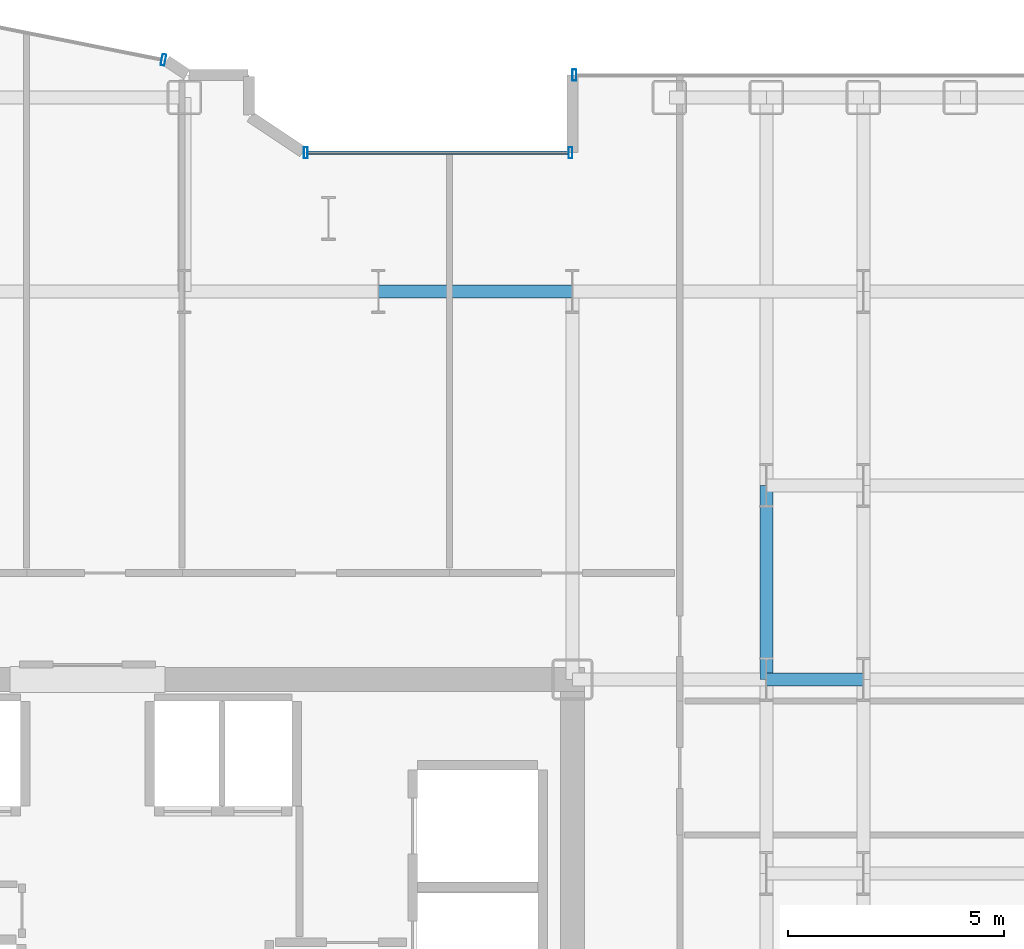
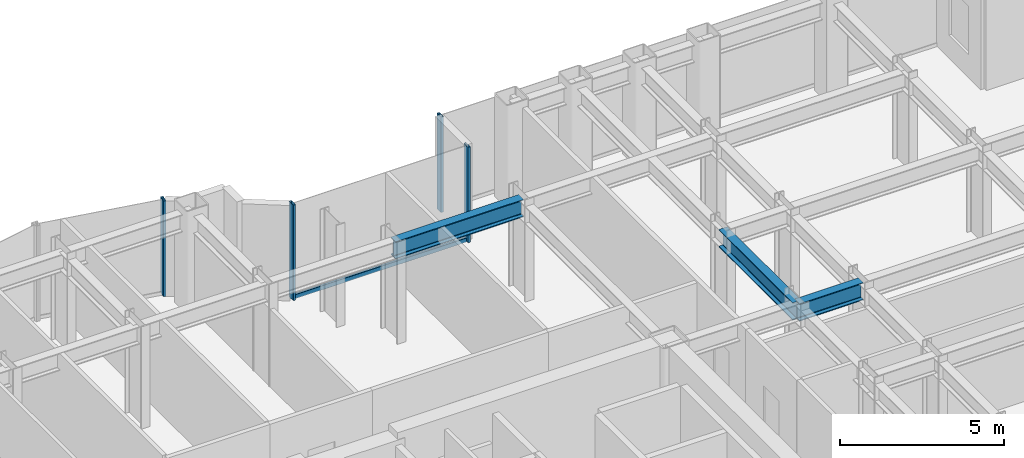
# One storey, part 12 of 26: 5 members, 3 beams, 3 elements without a shape of their own.
"""IFC4 building model written with IfcOpenShell, lengths in metres."""

import ifcopenshell
import ifcopenshell.guid

model = None  # the IFC model being written
_history = None  # IfcOwnerHistory: only IFC2X3 demands one
_inside = {}  # id of a spatial element -> (the spatial element, [elements in it])
_under = {}  # id of a project, library or spatial element -> (it, [spatial elements below it])
_declared = {}  # id of a project -> (the project, [libraries it declares])
_typed = {}  # id of a type object -> (the type object, [elements of that type])
_made_of = {}  # id of a material, layer set ... -> (it, [elements and type objects made of it])


def new_model(schema):
    """Start an empty IFC model of exactly this schema.

    Asked for "IFC4X3", IfcOpenShell would pick the latest addendum, in which some entities
    have other attributes; the version numbers below select the first issue.
    IFC2X3 requires an IfcOwnerHistory on every rooted entity: one is made here for all.
    """
    global model, _history
    if schema == "IFC4X3":
        model = ifcopenshell.file(schema_version=(4, 3, 0, 0))
    else:
        model = ifcopenshell.file(schema=schema)
    _inside.clear()
    _under.clear()
    _declared.clear()
    _typed.clear()
    _made_of.clear()
    _history = None
    if model.schema == "IFC2X3":
        org = make("IfcOrganization", Name="unknown")
        user = make(
            "IfcPersonAndOrganization",
            ThePerson=make("IfcPerson", FamilyName="unknown"),
            TheOrganization=org,
        )
        app = make(
            "IfcApplication",
            ApplicationDeveloper=org,
            Version="unknown",
            ApplicationFullName="unknown",
            ApplicationIdentifier="unknown",
        )
        _history = make(
            "IfcOwnerHistory",
            OwningUser=user,
            OwningApplication=app,
            ChangeAction="ADDED",
            CreationDate=0,
        )
    return model


def make(cls, **values):
    """One entity of the class cls with the attributes given. An attribute that is None is left unset."""
    return model.create_entity(
        cls, **{name: value for name, value in values.items() if value is not None}
    )


def rooted(cls, **values):
    """An entity with a GlobalId (a new one), such as an element, a storey or a relation."""
    return make(cls, GlobalId=ifcopenshell.guid.new(), OwnerHistory=_history, **values)


def si_unit(unit_type, name, prefix=None):
    """IfcSIUnit, for example si_unit("LENGTHUNIT", "METRE", prefix="MILLI")."""
    return make("IfcSIUnit", UnitType=unit_type, Prefix=prefix, Name=name)


def assignment(units):
    """IfcUnitAssignment: the units of a project."""
    return None if units is None else make("IfcUnitAssignment", Units=units)


def point(xyz):
    """IfcCartesianPoint."""
    return None if xyz is None else make("IfcCartesianPoint", Coordinates=xyz)


def direction(xyz):
    """IfcDirection."""
    return None if xyz is None else make("IfcDirection", DirectionRatios=xyz)


def frame(location, z_axis=None, x_axis=None):
    """IfcAxis2Placement3D, a coordinate frame: its origin and axes. An axis left out is left unset."""
    return make(
        "IfcAxis2Placement3D",
        Location=point(location),
        Axis=direction(z_axis),
        RefDirection=direction(x_axis),
    )


def frame_2d(location, x_axis=None):
    """IfcAxis2Placement2D, a coordinate frame in the plane: its origin and x axis."""
    return make(
        "IfcAxis2Placement2D", Location=point(location), RefDirection=direction(x_axis)
    )


def origin():
    """The frame at (0, 0, 0) with its axes left unset."""
    return frame((0.0, 0.0, 0.0))


def origin_2d():
    """The frame at (0, 0) in the plane with its x axis left unset."""
    return frame_2d((0.0, 0.0))


def place(relative_to, where):
    """IfcLocalPlacement: puts the frame where relative to a parent placement (None: the world)."""
    return make(
        "IfcLocalPlacement", PlacementRelTo=relative_to, RelativePlacement=where
    )


def context(
    kind, dimensions, precision=None, world=None, true_north=None, identifier=None
):
    """IfcGeometricRepresentationContext, for example the 3D "Model" context."""
    return make(
        "IfcGeometricRepresentationContext",
        ContextIdentifier=identifier,
        ContextType=kind,
        CoordinateSpaceDimension=dimensions,
        Precision=precision,
        WorldCoordinateSystem=world,
        TrueNorth=true_north,
    )


def subcontext(parent, identifier, kind, view, scale=None):
    """IfcGeometricRepresentationSubContext, for example "Body" below "Model"."""
    return make(
        "IfcGeometricRepresentationSubContext",
        ContextIdentifier=identifier,
        ContextType=kind,
        ParentContext=parent,
        TargetScale=scale,
        TargetView=view,
    )


def project(units=None, contexts=None):
    """IfcProject with its units and contexts."""
    return rooted(
        "IfcProject",
        Name="project",
        RepresentationContexts=contexts,
        UnitsInContext=assignment(units),
    )


def spatial(cls, under=None, at=None, **own):
    """A site, building, storey or space (cls), placed at a placement, below another one or the project."""
    s = rooted(cls, ObjectPlacement=at, **own)
    if under is not None:
        _under.setdefault(under.id(), (under, []))[1].append(s)
    return s


def profile(cls, at=None, kind="AREA", **sizes):
    """A parametric profile (cls). Its sizes go by their IFC names, for example OverallWidth=200.0."""
    return make(cls, ProfileType=kind, Position=at, **sizes)


def hollow_rectangle(**sizes):
    """IfcRectangleHollowProfileDef."""
    return profile("IfcRectangleHollowProfileDef", **sizes)


def i_section(**sizes):
    """IfcIShapeProfileDef."""
    return profile("IfcIShapeProfileDef", **sizes)


def extrude(swept, where, along, depth):
    """IfcExtrudedAreaSolid: the profile swept, set in the frame where, extruded along a direction by depth."""
    return make(
        "IfcExtrudedAreaSolid",
        SweptArea=swept,
        Position=where,
        ExtrudedDirection=direction(along),
        Depth=depth,
    )


def shape(context_of_items, identifier, shape_type, items):
    """IfcShapeRepresentation: the items that make up one representation, for example the "Body"."""
    return make(
        "IfcShapeRepresentation",
        ContextOfItems=context_of_items,
        RepresentationIdentifier=identifier,
        RepresentationType=shape_type,
        Items=items,
    )


def source(mapping_origin, context_of_items, identifier, shape_type, items):
    """IfcRepresentationMap: a shape defined once, which mapped items show again and again."""
    return make(
        "IfcRepresentationMap",
        MappingOrigin=mapping_origin,
        MappedRepresentation=shape(context_of_items, identifier, shape_type, items),
    )


def transform(
    local_origin,
    x_axis=None,
    y_axis=None,
    z_axis=None,
    scale=None,
    scale2=None,
    scale3=None,
    uniform=True,
):
    """IfcCartesianTransformationOperator3D, or its non-uniform kind. x_axis, y_axis, z_axis: its Axis1, 2, 3."""
    if uniform:
        return make(
            "IfcCartesianTransformationOperator3D",
            Axis1=direction(x_axis),
            Axis2=direction(y_axis),
            LocalOrigin=point(local_origin),
            Scale=scale,
            Axis3=direction(z_axis),
        )
    return make(
        "IfcCartesianTransformationOperator3DnonUniform",
        Axis1=direction(x_axis),
        Axis2=direction(y_axis),
        LocalOrigin=point(local_origin),
        Scale=scale,
        Axis3=direction(z_axis),
        Scale2=scale2,
        Scale3=scale3,
    )


def mapped(mapping_source, mapping_target):
    """IfcMappedItem: shows the shape of a source again, moved by a transform."""
    return make(
        "IfcMappedItem", MappingSource=mapping_source, MappingTarget=mapping_target
    )


def material(Name=None, Category=None):
    """IfcMaterial."""
    return make("IfcMaterial", Name=Name, Category=Category)


def layer(
    of_material, thickness, ventilated=None, Name=None, Category=None, Priority=None
):
    """IfcMaterialLayer: one layer of a wall or slab, of a material (None: an air gap)."""
    return make(
        "IfcMaterialLayer",
        Material=of_material,
        LayerThickness=thickness,
        IsVentilated=ventilated,
        Name=Name,
        Category=Category,
        Priority=Priority,
    )


def layer_set(layers, Name=None):
    """IfcMaterialLayerSet."""
    return make("IfcMaterialLayerSet", MaterialLayers=layers, LayerSetName=Name)


def material_profile(
    of_material, cross_section, Name=None, Category=None, Priority=None
):
    """IfcMaterialProfile: a cross section and its material."""
    return make(
        "IfcMaterialProfile",
        Name=Name,
        Material=of_material,
        Profile=cross_section,
        Priority=Priority,
        Category=Category,
    )


def profile_set(profiles, Name=None, composite=None):
    """IfcMaterialProfileSet."""
    return make(
        "IfcMaterialProfileSet",
        Name=Name,
        MaterialProfiles=profiles,
        CompositeProfile=composite,
    )


def made_of(thing, what):
    """Note that an element or type object is made of a material, layer set ...; save() writes the relation."""
    if what is not None:
        _made_of.setdefault(what.id(), (what, []))[1].append(thing)
    return thing


def type_object(cls, material=None, **own):
    """A type object (cls), such as IfcWallType, which elements share."""
    return made_of(rooted(cls, **own), material)


def element(
    cls,
    number,
    at=None,
    inside=None,
    cuts=None,
    type_object=None,
    material=None,
    context=None,
    identifier="Body",
    shape_type=None,
    held_by="IfcProductDefinitionShape",
    body=None,
    shapes=None,
    **own,
):
    """One element of the class cls, such as IfcWall. Its Tag is "e" and its number.

    at: its placement. inside: the storey or other place that contains it. cuts: it is an
    opening in that element (IfcRelVoidsElement). A single representation is given by context,
    identifier, shape_type and body (its items); several are given by shapes. held_by: the class
    of the entity that holds the representations. save() writes the other relations.
    """
    e = rooted(cls, Tag="e%d" % number, ObjectPlacement=at, **own)
    if body is not None:
        shapes = [shape(context, identifier, shape_type, body)]
    if shapes is not None:
        e.Representation = make(held_by, Representations=shapes)
    if inside is not None:
        _inside.setdefault(inside.id(), (inside, []))[1].append(e)
    if cuts is not None:
        rooted(
            "IfcRelVoidsElement", RelatingBuildingElement=cuts, RelatedOpeningElement=e
        )
    if type_object is not None:
        _typed.setdefault(type_object.id(), (type_object, []))[1].append(e)
    return made_of(e, material)


def aggregate(whole, parts):
    """IfcRelAggregates: a whole, such as a stair, and the parts it consists of."""
    return rooted("IfcRelAggregates", RelatingObject=whole, RelatedObjects=parts)


def save(model, path):
    """Write the relations noted so far, then the file.

    IfcRelAggregates (storeys below a building ...), IfcRelContainedInSpatialStructure (elements
    in a storey), IfcRelDefinesByType, IfcRelAssociatesMaterial and IfcRelDeclares: one each for
    every whole, place, type object, material and project.
    """
    for whole, parts in _under.values():
        aggregate(whole, parts)
    for where, things in _inside.values():
        rooted(
            "IfcRelContainedInSpatialStructure",
            RelatedElements=things,
            RelatingStructure=where,
        )
    for kind, things in _typed.values():
        rooted("IfcRelDefinesByType", RelatedObjects=things, RelatingType=kind)
    for what, things in _made_of.values():
        rooted("IfcRelAssociatesMaterial", RelatedObjects=things, RelatingMaterial=what)
    for by, libraries in _declared.values():
        rooted("IfcRelDeclares", RelatingContext=by, RelatedDefinitions=libraries)
    model.write(path)


model = new_model("IFC4")

# Units and contexts
model_context = context("Model", 3, precision=1e-05, world=origin(), true_north=direction((0.0, 1.0)))
body_context = subcontext(model_context, "Body", "Model", "MODEL_VIEW")
ifc_project = project(units=[si_unit("LENGTHUNIT", "METRE"), si_unit("AREAUNIT", "SQUARE_METRE"), si_unit("VOLUMEUNIT", "CUBIC_METRE"), si_unit("PLANEANGLEUNIT", "RADIAN"), si_unit("MASSUNIT", "GRAM", prefix="KILO")], contexts=[model_context])

# Site, building, storey
site_placement = place(None, origin())
site = spatial("IfcSite", under=ifc_project, at=site_placement, CompositionType="ELEMENT")
building_placement = place(site_placement, origin())
building = spatial("IfcBuilding", under=site, at=building_placement, Name="Nefas-Gora Pilgrimage Tower", CompositionType="ELEMENT")
storey_placement = place(building_placement, frame((0.0, 0.0, 128.800048828125)))
storey = spatial("IfcBuildingStorey", under=building, at=storey_placement, Name="L31", CompositionType="ELEMENT", Elevation=128.800048828125)

# Beams
ifc_material_1 = material(Name="Steel S355", Category="steel")
ifc_material_profile_1 = material_profile(ifc_material_1, i_section(OverallWidth=0.300048828125, OverallDepth=0.64990234375, WebThickness=0.01611328125, FlangeThickness=0.031005859375, FilletRadius=0.027099609375, at=origin_2d()), Name="HEB 650")
ifc_profile_set_1 = profile_set([ifc_material_profile_1], Name="Steel S355")
beam_type = type_object("IfcBeamType", Name="BM-GIR-HEB650", PredefinedType="BEAM", material=ifc_profile_set_1)
shared_shape_1 = source(origin(), body_context, "Body", "SweptSolid", [
    extrude(i_section(OverallWidth=0.300048828125, OverallDepth=0.64990234375, WebThickness=0.01611328125, FlangeThickness=0.031005859375, FilletRadius=0.027099609375, at=origin_2d()), origin(), (0.0, 0.0, 1.0), 4.5),
])
for number, where, z_axis, x_axis, name in (
    (1, (6.75, 18.0, 3.224853515625), (1.0, 0.0, 0.0), (0.0, 1.0, 0.0), "L31 G-03 beam"),
    (2, (15.75, 9.0, 3.224853515625), (0.0, 1.0, 0.0), (-1.0, 0.0, 0.0), "L31 G-03 beam"),
):
    element("IfcBeam", number, at=place(storey_placement, frame(where, z_axis=z_axis, x_axis=x_axis)), inside=storey, type_object=beam_type, Name=name, PredefinedType="BEAM", context=body_context, shape_type="MappedRepresentation", body=[
        mapped(shared_shape_1, transform((0.0, 0.0, 0.0), x_axis=(1.0, 0.0, 0.0), y_axis=(0.0, 1.0, 0.0), z_axis=(0.0, 0.0, 1.0), scale=1.0)),
    ])
shared_shape_2 = source(origin(), body_context, "Body", "SweptSolid", [
    extrude(i_section(OverallWidth=0.300048828125, OverallDepth=0.64990234375, WebThickness=0.01611328125, FlangeThickness=0.031005859375, FilletRadius=0.027099609375, at=origin_2d()), origin(), (0.0, 0.0, 1.0), 2.25),
])
beam_placement = place(storey_placement, frame((15.75, 9.0, 3.224853515625), z_axis=(1.0, 0.0, 0.0), x_axis=(0.0, 1.0, 0.0)))
element("IfcBeam", 3, at=beam_placement, inside=storey, type_object=beam_type, Name="L31 G-03 beam", PredefinedType="BEAM", context=body_context, shape_type="MappedRepresentation", body=[
    mapped(shared_shape_2, transform((0.0, 0.0, 0.0), x_axis=(1.0, 0.0, 0.0), y_axis=(0.0, 1.0, 0.0), z_axis=(0.0, 0.0, 1.0), scale=1.0)),
])

# Curtain wall, members
ifc_material_2 = material(Name="Dark ceramic-fritted solar-control aluminium-glass curtain wall", Category="aluminium")
ifc_layer_1 = layer(ifc_material_2, 0.219970703125)
ifc_layer_set_1 = layer_set([ifc_layer_1], Name="Dark ceramic-fritted solar-control aluminium-glass curtain wall")
curtain_wall_type_1 = type_object("IfcCurtainWallType", Name="CW-SYS-5", PredefinedType="NOTDEFINED", material=ifc_layer_set_1)
curtain_wall_1_placement = place(storey_placement, origin())
curtain_wall_1 = element("IfcCurtainWall", 4, at=curtain_wall_1_placement, inside=storey, type_object=curtain_wall_type_1, Name="L31 Unitised Curtain Wall CW5", PredefinedType="NOTDEFINED")
ifc_material_3 = material(Name="Anodised architectural aluminium", Category="aluminium")
ifc_material_profile_2 = material_profile(ifc_material_3, hollow_rectangle(XDim=0.090087890625, YDim=0.260009765625, WallThickness=0.006103515625, InnerFilletRadius=0.006103515625, OuterFilletRadius=0.011962890625, at=origin_2d()), Name="ALU MULLION 90x260")
ifc_profile_set_2 = profile_set([ifc_material_profile_2], Name="Anodised architectural aluminium")
member_type_1 = type_object("IfcMemberType", Name="CWM-MUL-5", PredefinedType="MULLION", material=ifc_profile_set_2)
shared_shape_3 = source(origin(), body_context, "Body", "SweptSolid", [
    extrude(hollow_rectangle(XDim=0.090087890625, YDim=0.260009765625, WallThickness=0.006103515625, InnerFilletRadius=0.006103515625, OuterFilletRadius=0.011962890625, at=origin_2d()), origin(), (0.0, 0.0, 1.0), 3.550048828125),
])
member_1_placement = place(storey_placement, frame((11.205078125, 21.219970703125, 0.0), z_axis=(0.0, 0.0, 1.0), x_axis=(-1.0, 0.0, 0.0)))
member_1 = element("IfcMember", 5, at=member_1_placement, type_object=member_type_1, Name="CW5 Mullion 1", PredefinedType="MULLION", context=body_context, shape_type="MappedRepresentation", body=[
    mapped(shared_shape_3, transform((0.0, 0.0, 0.0), x_axis=(1.0, 0.0, 0.0), y_axis=(0.0, 1.0, 0.0), z_axis=(0.0, 0.0, 1.0), scale=1.0)),
])
member_2_placement = place(storey_placement, frame((5.06298828125, 21.219970703125, 0.0), z_axis=(0.0, 0.0, 1.0), x_axis=(-1.0, 0.0, 0.0)))
member_2 = element("IfcMember", 6, at=member_2_placement, type_object=member_type_1, Name="CW5 Mullion 2", PredefinedType="MULLION", context=body_context, shape_type="MappedRepresentation", body=[
    mapped(shared_shape_3, transform((0.0, 0.0, 0.0), x_axis=(1.0, 0.0, 0.0), y_axis=(0.0, 1.0, 0.0), z_axis=(0.0, 0.0, 1.0), scale=1.0)),
])

# Curtain wall, member
curtain_wall_2_placement = place(storey_placement, origin())
curtain_wall_2 = element("IfcCurtainWall", 7, at=curtain_wall_2_placement, inside=storey, type_object=curtain_wall_type_1, Name="L31 Unitised Curtain Wall CW5", PredefinedType="NOTDEFINED")
member_3_placement = place(storey_placement, frame((1.76318359375, 23.3740234375, 0.0), z_axis=(0.0, 0.0, 1.0), x_axis=(-0.980782896852, 0.195102304554, 0.0)))
member_3 = element("IfcMember", 8, at=member_3_placement, type_object=member_type_1, Name="CW5 Mullion 1", PredefinedType="MULLION", context=body_context, shape_type="MappedRepresentation", body=[
    mapped(shared_shape_3, transform((0.0, 0.0, 0.0), x_axis=(1.0, 0.0, 0.0), y_axis=(0.0, 1.0, 0.0), z_axis=(0.0, 0.0, 1.0), scale=1.0)),
])
aggregate(curtain_wall_2, [member_3])

# Member
ifc_material_profile_3 = material_profile(ifc_material_3, hollow_rectangle(XDim=0.080078125, YDim=0.159912109375, WallThickness=0.00439453125, InnerFilletRadius=0.00439453125, OuterFilletRadius=0.009033203125, at=origin_2d()), Name="ALU TRANSOM 80x160")
ifc_profile_set_3 = profile_set([ifc_material_profile_3], Name="Anodised architectural aluminium")
member_type_2 = type_object("IfcMemberType", Name="CWM-TRN-5", PredefinedType="USERDEFINED", material=ifc_profile_set_3)
shared_shape_4 = source(origin(), body_context, "Body", "SweptSolid", [
    extrude(hollow_rectangle(XDim=0.080078125, YDim=0.159912109375, WallThickness=0.00439453125, InnerFilletRadius=0.00439453125, OuterFilletRadius=0.009033203125, at=origin_2d()), origin(), (0.0, 0.0, 1.0), 6.052001953125),
])
member_4_placement = place(storey_placement, frame((11.159912109375, 21.219970703125, 0.050048828125), z_axis=(-1.0, 0.0, 0.0), x_axis=(0.0, -1.0, 0.0)))
member_4 = element("IfcMember", 9, at=member_4_placement, type_object=member_type_2, Name="CW5 Spandrel Transom", ObjectType="TRANSOM", PredefinedType="USERDEFINED", context=body_context, shape_type="MappedRepresentation", body=[
    mapped(shared_shape_4, transform((0.0, 0.0, 0.0), x_axis=(1.0, 0.0, 0.0), y_axis=(0.0, 1.0, 0.0), z_axis=(0.0, 0.0, 1.0), scale=1.0)),
])

aggregate(curtain_wall_1, [member_1, member_2, member_4])

# Curtain wall, member
ifc_layer_2 = layer(ifc_material_2, 0.219970703125)
ifc_layer_set_2 = layer_set([ifc_layer_2], Name="Dark ceramic-fritted solar-control aluminium-glass curtain wall")
curtain_wall_type_2 = type_object("IfcCurtainWallType", Name="CW-SYS-2", PredefinedType="NOTDEFINED", material=ifc_layer_set_2)
curtain_wall_3_placement = place(storey_placement, origin())
curtain_wall_3 = element("IfcCurtainWall", 10, at=curtain_wall_3_placement, inside=storey, type_object=curtain_wall_type_2, Name="L31 Unitised Curtain Wall CW2", PredefinedType="NOTDEFINED")
ifc_material_profile_4 = material_profile(ifc_material_3, hollow_rectangle(XDim=0.090087890625, YDim=0.260009765625, WallThickness=0.006103515625, InnerFilletRadius=0.006103515625, OuterFilletRadius=0.011962890625, at=origin_2d()), Name="ALU MULLION 90x260")
ifc_profile_set_4 = profile_set([ifc_material_profile_4], Name="Anodised architectural aluminium")
member_type_3 = type_object("IfcMemberType", Name="CWM-MUL-2", PredefinedType="MULLION", material=ifc_profile_set_4)
shared_shape_5 = source(origin(), body_context, "Body", "SweptSolid", [
    extrude(hollow_rectangle(XDim=0.090087890625, YDim=0.260009765625, WallThickness=0.006103515625, InnerFilletRadius=0.006103515625, OuterFilletRadius=0.011962890625, at=origin_2d()), origin(), (0.0, 0.0, 1.0), 3.550048828125),
])
member_5_placement = place(storey_placement, frame((11.294921875, 23.02001953125, 0.0), z_axis=(0.0, 0.0, 1.0), x_axis=(-1.0, 0.0, 0.0)))
member_5 = element("IfcMember", 11, at=member_5_placement, type_object=member_type_3, Name="CW2 Mullion 2", PredefinedType="MULLION", context=body_context, shape_type="MappedRepresentation", body=[
    mapped(shared_shape_5, transform((0.0, 0.0, 0.0), x_axis=(1.0, 0.0, 0.0), y_axis=(0.0, 1.0, 0.0), z_axis=(0.0, 0.0, 1.0), scale=1.0)),
])
aggregate(curtain_wall_3, [member_5])

save(model, "model.ifc")
